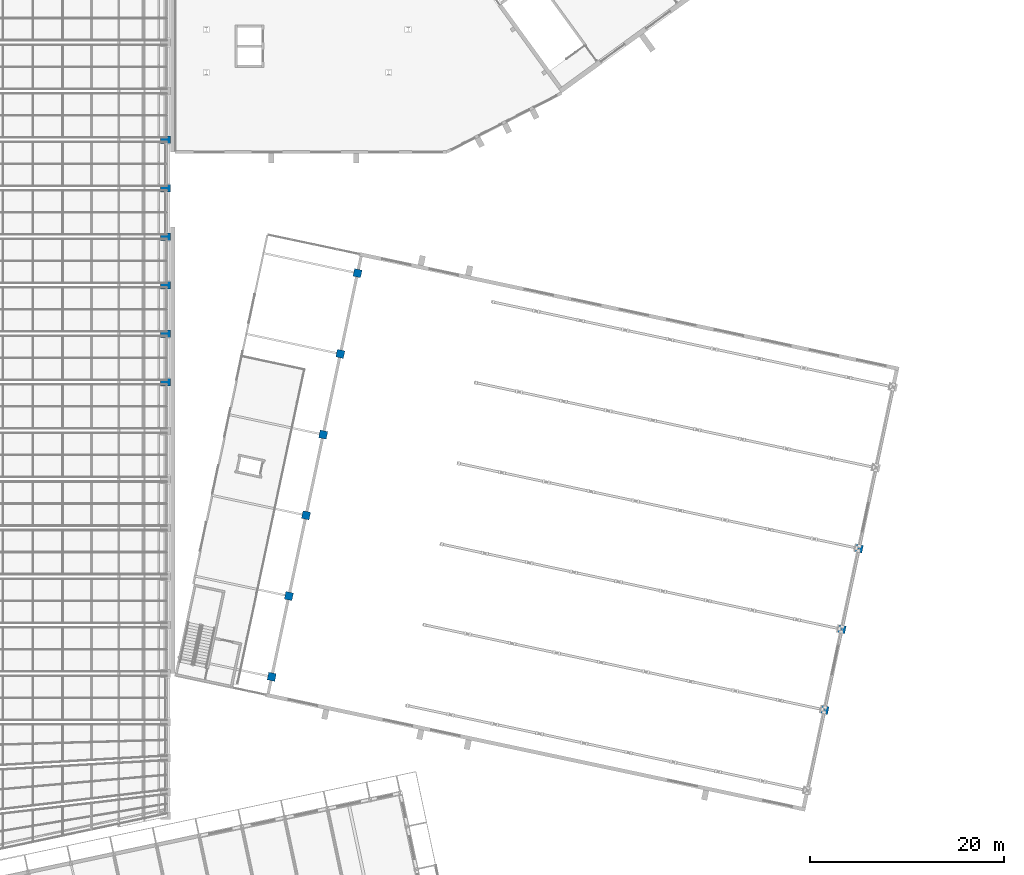
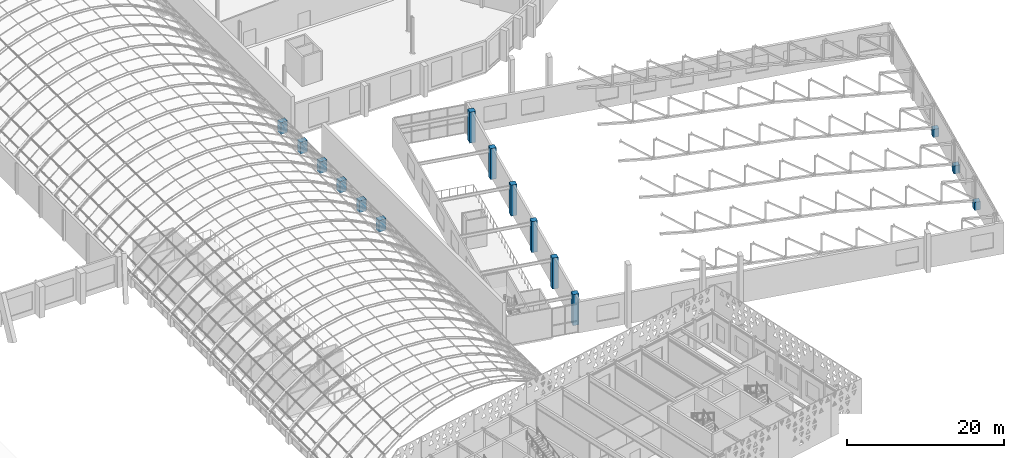
# One storey, part 18 of 182: 15 columns.
"""IFC4 building model written with IfcOpenShell, lengths in metres."""

from ifc_helpers import new_model, si_unit, direction, frame, origin, origin_2d, place, context, subcontext, project, spatial, rectangle, extrude, material, material_profile, profile_set, type_object, element, save


model = new_model("IFC4")

# Units and contexts
model_context = context("Model", 3, precision=1e-05, world=origin(), true_north=direction((0.0, 1.0)))
body_context = subcontext(model_context, "Body", "Model", "MODEL_VIEW")
ifc_project = project(units=[si_unit("LENGTHUNIT", "METRE"), si_unit("AREAUNIT", "SQUARE_METRE"), si_unit("VOLUMEUNIT", "CUBIC_METRE"), si_unit("PLANEANGLEUNIT", "RADIAN"), si_unit("MASSUNIT", "GRAM", prefix="KILO")], contexts=[model_context])

# Site, building, storey
site_placement = place(None, origin())
site = spatial("IfcSite", under=ifc_project, at=site_placement, CompositionType="ELEMENT")
building_placement = place(site_placement, origin())
building = spatial("IfcBuilding", under=site, at=building_placement, Name="Okhra Congress Centre", CompositionType="ELEMENT")
storey_placement = place(building_placement, frame((0.0, 0.0, 7.199951171875)))
storey = spatial("IfcBuildingStorey", under=building, at=storey_placement, Name="L01", CompositionType="ELEMENT", Elevation=7.199951171875)

# Columns
ifc_material = material(Name="Concrete C40/50", Category="concrete")
ifc_material_profile_1 = material_profile(ifc_material, rectangle(XDim=0.800048828125, YDim=0.800048828125, at=origin_2d()), Name="RC 800x800")
ifc_profile_set_1 = profile_set([ifc_material_profile_1], Name="Concrete C40/50")
column_type_1 = type_object("IfcColumnType", Name="RC column 800x800 C40/50", PredefinedType="COLUMN", material=ifc_profile_set_1)
for number, where, z_axis, x_axis, name in (
    (1, (199.94970703125, 95.67431640625, 0.0), (0.0, 0.0, 1.0), (0.978147600734, -0.207911690818, 0.0), "Hall column W0"),
    (2, (201.717041015625, 103.988525390625, 0.0), (0.0, 0.0, 1.0), (0.978147600734, -0.207911690818, 0.0), "Hall column W1"),
):
    element("IfcColumn", number, at=place(storey_placement, frame(where, z_axis=z_axis, x_axis=x_axis)), inside=storey, type_object=column_type_1, Name=name, PredefinedType="COLUMN", context=body_context, shape_type="SweptSolid", body=[
        extrude(rectangle(XDim=0.800048828125, YDim=0.800048828125, at=origin_2d()), origin(), (0.0, 0.0, 1.0), 4.800048828125),
    ])
column_1_placement = place(storey_placement, frame((256.884521484375, 92.26220703125, 0.0), z_axis=(0.0, 0.0, 1.0), x_axis=(0.978147600734, -0.207911690818, 0.0)))
element("IfcColumn", 3, at=column_1_placement, inside=storey, type_object=column_type_1, Name="Hall column E1", PredefinedType="COLUMN", context=body_context, shape_type="SweptSolid", body=[
    extrude(rectangle(XDim=0.800048828125, YDim=0.800048828125, at=origin_2d()), origin(), (0.0, 0.0, 1.0), 1.25),
])
column_2_placement = place(storey_placement, frame((203.484130859375, 112.302734375, 0.0), z_axis=(0.0, 0.0, 1.0), x_axis=(0.978147600734, -0.207911690818, 0.0)))
element("IfcColumn", 4, at=column_2_placement, inside=storey, type_object=column_type_1, Name="Hall column W2", PredefinedType="COLUMN", context=body_context, shape_type="SweptSolid", body=[
    extrude(rectangle(XDim=0.800048828125, YDim=0.800048828125, at=origin_2d()), origin(), (0.0, 0.0, 1.0), 4.800048828125),
])
column_3_placement = place(storey_placement, frame((258.651611328125, 100.576416015625, 0.0), z_axis=(0.0, 0.0, 1.0), x_axis=(0.978147600734, -0.207911690818, 0.0)))
element("IfcColumn", 5, at=column_3_placement, inside=storey, type_object=column_type_1, Name="Hall column E2", PredefinedType="COLUMN", context=body_context, shape_type="SweptSolid", body=[
    extrude(rectangle(XDim=0.800048828125, YDim=0.800048828125, at=origin_2d()), origin(), (0.0, 0.0, 1.0), 1.25),
])
column_4_placement = place(storey_placement, frame((205.25146484375, 120.616943359375, 0.0), z_axis=(0.0, 0.0, 1.0), x_axis=(0.978147600734, -0.207911690818, 0.0)))
element("IfcColumn", 6, at=column_4_placement, inside=storey, type_object=column_type_1, Name="Hall column W3", PredefinedType="COLUMN", context=body_context, shape_type="SweptSolid", body=[
    extrude(rectangle(XDim=0.800048828125, YDim=0.800048828125, at=origin_2d()), origin(), (0.0, 0.0, 1.0), 4.800048828125),
])
column_5_placement = place(storey_placement, frame((260.4189453125, 108.890869140625, 0.0), z_axis=(0.0, 0.0, 1.0), x_axis=(0.978147600734, -0.207911690818, 0.0)))
element("IfcColumn", 7, at=column_5_placement, inside=storey, type_object=column_type_1, Name="Hall column E3", PredefinedType="COLUMN", context=body_context, shape_type="SweptSolid", body=[
    extrude(rectangle(XDim=0.800048828125, YDim=0.800048828125, at=origin_2d()), origin(), (0.0, 0.0, 1.0), 1.25),
])
for number, where, z_axis, x_axis, name in (
    (8, (207.018798828125, 128.93115234375, 0.0), (0.0, 0.0, 1.0), (0.978147600734, -0.207911690818, 0.0), "Hall column W4"),
    (9, (208.785888671875, 137.24560546875, 0.0), (0.0, 0.0, 1.0), (0.978147600734, -0.207911690818, 0.0), "Hall column W5"),
):
    element("IfcColumn", number, at=place(storey_placement, frame(where, z_axis=z_axis, x_axis=x_axis)), inside=storey, type_object=column_type_1, Name=name, PredefinedType="COLUMN", context=body_context, shape_type="SweptSolid", body=[
        extrude(rectangle(XDim=0.800048828125, YDim=0.800048828125, at=origin_2d()), origin(), (0.0, 0.0, 1.0), 4.800048828125),
    ])
ifc_material_profile_2 = material_profile(ifc_material, rectangle(XDim=1.0, YDim=0.800048828125, at=origin_2d()), Name="RC 1000x800")
ifc_profile_set_2 = profile_set([ifc_material_profile_2], Name="Concrete C40/50")
column_type_2 = type_object("IfcColumnType", Name="RC pier 1000x800 C40/50", PredefinedType="COLUMN", material=ifc_profile_set_2)
for number, where, z_axis, x_axis, name in (
    (10, (189.0, 126.0, 0.0), (0.0, 0.0, 1.0), (1.0, 0.0, 0.0), "WG.COL.L01.pier-E10"),
    (11, (189.0, 131.0, 0.0), (0.0, 0.0, 1.0), (1.0, 0.0, 0.0), "WG.COL.L01.pier-E11"),
    (12, (189.0, 136.0, 0.0), (0.0, 0.0, 1.0), (1.0, 0.0, 0.0), "WG.COL.L01.pier-E12"),
    (13, (189.0, 141.0, 0.0), (0.0, 0.0, 1.0), (1.0, 0.0, 0.0), "WG.COL.L01.pier-E13"),
    (14, (189.0, 146.0, 0.0), (0.0, 0.0, 1.0), (1.0, 0.0, 0.0), "WG.COL.L01.pier-E14"),
    (15, (189.0, 151.0, 0.0), (0.0, 0.0, 1.0), (1.0, 0.0, 0.0), "WG.COL.L01.pier-E15"),
):
    element("IfcColumn", number, at=place(storey_placement, frame(where, z_axis=z_axis, x_axis=x_axis)), inside=storey, type_object=column_type_2, Name=name, PredefinedType="COLUMN", context=body_context, shape_type="SweptSolid", body=[
        extrude(rectangle(XDim=1.0, YDim=0.800048828125, at=origin_2d()), origin(), (0.0, 0.0, 1.0), 1.800048828125),
    ])

save(model, "model.ifc")
